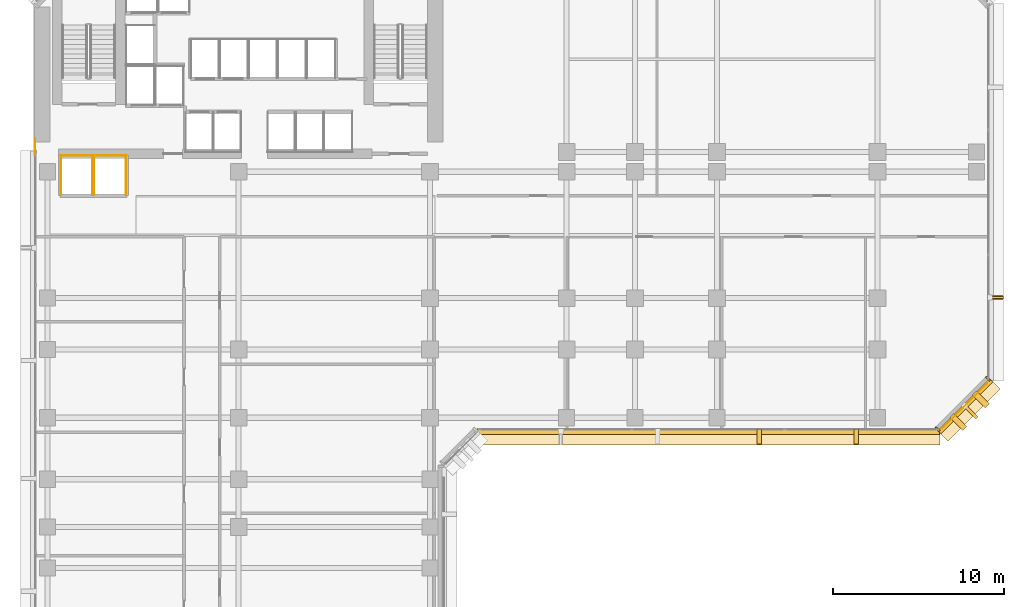
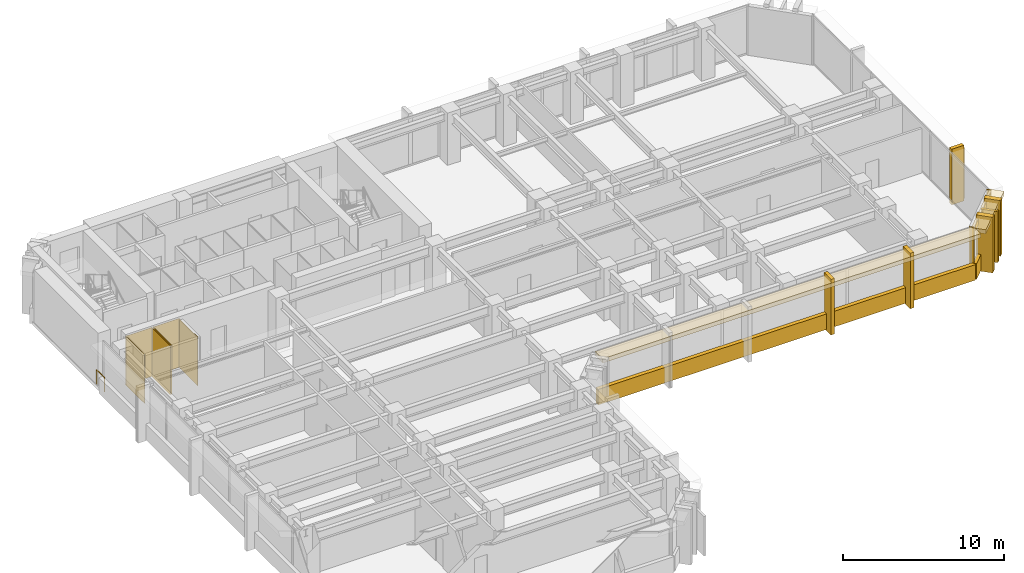
# One storey, part 10 of 13: 18 coverings, 2 shading devices, 1 railing.
"""IFC4 building model written with IfcOpenShell, lengths in metres."""

from ifc_helpers import new_model, si_unit, direction, frame, origin, origin_2d, place, context, subcontext, project, spatial, polyline, rectangle, circle, outline, extrude, material, layer, layer_set, material_profile, profile_set, type_object, element, save


model = new_model("IFC4")

# Units and contexts
model_context = context("Model", 3, precision=1e-05, world=origin(), true_north=direction((0.0, 1.0)))
body_context = subcontext(model_context, "Body", "Model", "MODEL_VIEW")
ifc_project = project(units=[si_unit("LENGTHUNIT", "METRE"), si_unit("AREAUNIT", "SQUARE_METRE"), si_unit("VOLUMEUNIT", "CUBIC_METRE"), si_unit("PLANEANGLEUNIT", "RADIAN"), si_unit("MASSUNIT", "GRAM", prefix="KILO")], contexts=[model_context])

# Site, building, storey
site_placement = place(None, origin())
site = spatial("IfcSite", under=ifc_project, at=site_placement, CompositionType="ELEMENT")
building_placement = place(site_placement, origin())
building = spatial("IfcBuilding", under=site, at=building_placement, Name="Kefirva Bronze Tower", CompositionType="ELEMENT")
storey_placement = place(building_placement, frame((0.0, 0.0, 54.1201171875)))
storey = spatial("IfcBuildingStorey", under=building, at=storey_placement, Name="L12", CompositionType="ELEMENT", Elevation=54.1201171875)

# Coverings
ifc_material_1 = material(Name="Bronze anodised aluminium", Category="aluminium")
ifc_layer_1 = layer(ifc_material_1, 0.02001953125, Name="Bronze anodised aluminium")
ifc_layer_set_1 = layer_set([ifc_layer_1], Name="Bronze anodised aluminium")
covering_type_1 = type_object("IfcCoveringType", Name="Anodised Bronze Spandrel Cladding 20mm", PredefinedType="CLADDING", material=ifc_layer_set_1)
covering_1_placement = place(storey_placement, frame((39.5, 17.9599609375, -0.16015625), z_axis=(0.0, 0.0, 1.0), x_axis=(1.0, 0.0, 0.0)))
element("IfcCovering", 1, at=covering_1_placement, inside=storey, type_object=covering_type_1, Name="L12 Streamline Horizontal Spandrel Band 4", PredefinedType="CLADDING", context=body_context, shape_type="SweptSolid", body=[
    extrude(rectangle(XDim=27.0400390625, YDim=0.280029296875, at=origin_2d()), origin(), (0.0, 0.0, 1.0), 1.179931640625),
])
covering_2_placement = place(storey_placement, frame((54.507080078125, 19.492919921875, 3.2900390625), z_axis=(0.0, 0.0, 1.0), x_axis=(0.707106781187, 0.707106781187, 0.0)))
element("IfcCovering", 2, at=covering_2_placement, inside=storey, type_object=covering_type_1, Name="L12 Bronze Spandrel Cladding 4", PredefinedType="CLADDING", context=body_context, shape_type="SweptSolid", body=[
    extrude(rectangle(XDim=3.719482421875, YDim=0.02001953125, at=origin_2d()), origin(), (0.0, 0.0, 1.0), 0.39990234375),
])
for number, where, z_axis, x_axis, name in (
    (3, (52.91162109375, 18.137939453125, 0.0), (0.0, 0.0, 1.0), (0.707106781187, 0.707106781187, 0.0), "L12 Facade Joint Closure Panel 4S"),
    (4, (55.862060546875, 21.08837890625, 0.0), (0.0, 0.0, 1.0), (0.707106781187, 0.707106781187, 0.0), "L12 Facade Joint Closure Panel 4E"),
):
    element("IfcCovering", number, at=place(storey_placement, frame(where, z_axis=z_axis, x_axis=x_axis)), inside=storey, type_object=covering_type_1, Name=name, PredefinedType="CLADDING", context=body_context, shape_type="SweptSolid", body=[
        extrude(rectangle(XDim=0.10009765625, YDim=0.320068359375, at=origin_2d()), origin(), (0.0, 0.0, 1.0), 3.7099609375),
    ])
covering_3_placement = place(storey_placement, frame((54.5283203125, 19.4716796875, -0.16015625), z_axis=(0.0, 0.0, 1.0), x_axis=(0.707106781187, 0.707106781187, 0.0)))
element("IfcCovering", 5, at=covering_3_placement, inside=storey, type_object=covering_type_1, Name="L12 Streamline Horizontal Spandrel Band 5", PredefinedType="CLADDING", context=body_context, shape_type="SweptSolid", body=[
    extrude(rectangle(XDim=4.28271484375, YDim=0.280029296875, at=origin_2d()), origin(), (0.0, 0.0, 1.0), 1.179931640625),
])
covering_4_placement = place(storey_placement, origin())
element("IfcCovering", 6, at=covering_4_placement, inside=storey, type_object=covering_type_1, Name="L12 Lift OB1 Hoistway Liner N", PredefinedType="CLADDING", context=body_context, shape_type="SweptSolid", body=[
    extrude(outline(polyline([(1.580078125, 34.139892578125), (3.469970703125, 34.139892578125), (3.469970703125, 34.159912109375), (1.580078125, 34.159912109375), (1.580078125, 34.139892578125)])), origin(), (0.0, 0.0, 1.0), 3.7099609375),
])
covering_5_placement = place(storey_placement, origin())
element("IfcCovering", 7, at=covering_5_placement, inside=storey, type_object=covering_type_1, Name="L12 Lift OB1 Hoistway Liner W", PredefinedType="CLADDING", context=body_context, shape_type="SweptSolid", body=[
    extrude(outline(polyline([(1.590087890625, 31.830078125), (1.610107421875, 31.830078125), (1.610107421875, 34.169921875), (1.590087890625, 34.169921875), (1.590087890625, 31.830078125)])), origin(), (0.0, 0.0, 1.0), 3.7099609375),
])
covering_6_placement = place(storey_placement, origin())
element("IfcCovering", 8, at=covering_6_placement, inside=storey, type_object=covering_type_1, Name="L12 Lift OB1 Hoistway Liner E", PredefinedType="CLADDING", context=body_context, shape_type="SweptSolid", body=[
    extrude(outline(polyline([(3.43994140625, 31.830078125), (3.4599609375, 31.830078125), (3.4599609375, 34.169921875), (3.43994140625, 34.169921875), (3.43994140625, 31.830078125)])), origin(), (0.0, 0.0, 1.0), 3.7099609375),
])
covering_7_placement = place(storey_placement, origin())
element("IfcCovering", 9, at=covering_7_placement, inside=storey, type_object=covering_type_1, Name="L12 Lift OB2 Hoistway Liner N", PredefinedType="CLADDING", context=body_context, shape_type="SweptSolid", body=[
    extrude(outline(polyline([(3.530029296875, 34.139892578125), (5.419921875, 34.139892578125), (5.419921875, 34.159912109375), (3.530029296875, 34.159912109375), (3.530029296875, 34.139892578125)])), origin(), (0.0, 0.0, 1.0), 3.7099609375),
])
covering_8_placement = place(storey_placement, origin())
element("IfcCovering", 10, at=covering_8_placement, inside=storey, type_object=covering_type_1, Name="L12 Lift OB2 Hoistway Liner W", PredefinedType="CLADDING", context=body_context, shape_type="SweptSolid", body=[
    extrude(outline(polyline([(3.5400390625, 31.830078125), (3.56005859375, 31.830078125), (3.56005859375, 34.169921875), (3.5400390625, 34.169921875), (3.5400390625, 31.830078125)])), origin(), (0.0, 0.0, 1.0), 3.7099609375),
])
covering_9_placement = place(storey_placement, origin())
element("IfcCovering", 11, at=covering_9_placement, inside=storey, type_object=covering_type_1, Name="L12 Lift OB2 Hoistway Liner E", PredefinedType="CLADDING", context=body_context, shape_type="SweptSolid", body=[
    extrude(outline(polyline([(5.389892578125, 31.830078125), (5.409912109375, 31.830078125), (5.409912109375, 34.169921875), (5.389892578125, 34.169921875), (5.389892578125, 31.830078125)])), origin(), (0.0, 0.0, 1.0), 3.7099609375),
])

# Shading device
ifc_material_profile_1 = material_profile(ifc_material_1, rectangle(XDim=0.179931640625, YDim=1.080078125, at=origin_2d()), Name="BRONZE BUTTRESS FIN 180x1080")
ifc_profile_set_1 = profile_set([ifc_material_profile_1], Name="Bronze anodised aluminium")
shading_device_type_1 = type_object("IfcShadingDeviceType", Name="Chamfered Corner Buttress Bronze Fin 1080mm", PredefinedType="USERDEFINED", material=ifc_profile_set_1)
shading_device_1_placement = place(storey_placement, frame((54.8251953125, 19.1748046875, -0.14013671875), z_axis=(0.0, 0.0, 1.0), x_axis=(0.707106781187, 0.707106781187, 0.0)))
element("IfcShadingDevice", 12, at=shading_device_1_placement, inside=storey, type_object=shading_device_type_1, Name="L12 Chamfered Corner Buttress Fin 14", ObjectType="VERTICAL FIN", PredefinedType="USERDEFINED", context=body_context, shape_type="SweptSolid", body=[
    extrude(rectangle(XDim=0.179931640625, YDim=1.080078125, at=origin_2d()), origin(), (0.0, 0.0, 1.0), 3.85009765625),
])

# Railing
ifc_material_2 = material(Name="Stainless steel 316", Category="steel")
railing_type = type_object("IfcRailingType", Name="Interior Stair Guardrail 1100mm", PredefinedType="GUARDRAIL", material=ifc_material_2)
railing_placement = place(storey_placement, frame((0.080078125, 34.199951171875, 0.0)))
element("IfcRailing", 13, at=railing_placement, inside=storey, type_object=railing_type, Name="L12 West Core Junction Guardrail", PredefinedType="GUARDRAIL", context=body_context, shape_type="SweptSolid", body=[
    extrude(circle(Radius=0.02392578125, at=origin_2d()), frame((0.0, 0.0, 1.076171875), z_axis=(0.0, 1.0, 0.0), x_axis=(-1.0, 0.0, 0.0)), (0.0, 0.0, 1.0), 0.949951171875),
    extrude(circle(Radius=0.02099609375, at=origin_2d()), origin(), (0.0, 0.0, 1.0), 1.052001953125),
    extrude(circle(Radius=0.02099609375, at=origin_2d()), frame((0.0, 0.949951171875, 0.0)), (0.0, 0.0, 1.0), 1.052001953125),
])

# Coverings
ifc_layer_2 = layer(ifc_material_1, 0.179931640625, Name="Bronze anodised aluminium")
ifc_layer_set_2 = layer_set([ifc_layer_2], Name="Bronze anodised aluminium")
covering_type_2 = type_object("IfcCoveringType", Name="Streamline Bronze Sunshade Eyebrow Cladding 180mm", PredefinedType="CLADDING", material=ifc_layer_set_2)
covering_10_placement = place(storey_placement, frame((39.5, 17.68994140625, 3.3896484375), z_axis=(0.0, 0.0, 1.0), x_axis=(1.0, 0.0, 0.0)))
element("IfcCovering", 14, at=covering_10_placement, inside=storey, type_object=covering_type_2, Name="L12 Streamline Bronze Sunshade Eyebrow 4", PredefinedType="CLADDING", context=body_context, shape_type="SweptSolid", body=[
    extrude(rectangle(XDim=27.080078125, YDim=0.93994140625, at=origin_2d()), origin(), (0.0, 0.0, 1.0), 0.320068359375),
])
covering_11_placement = place(storey_placement, frame((54.71923828125, 19.28076171875, 3.3896484375), z_axis=(0.0, 0.0, 1.0), x_axis=(0.707106781187, 0.707106781187, 0.0)))
element("IfcCovering", 15, at=covering_11_placement, inside=storey, type_object=covering_type_2, Name="L12 Streamline Bronze Sunshade Eyebrow 5", PredefinedType="CLADDING", context=body_context, shape_type="SweptSolid", body=[
    extrude(rectangle(XDim=4.322509765625, YDim=0.93994140625, at=origin_2d()), origin(), (0.0, 0.0, 1.0), 0.320068359375),
])
ifc_layer_3 = layer(ifc_material_1, 0.260009765625, Name="Bronze anodised aluminium")
ifc_layer_set_3 = layer_set([ifc_layer_3], Name="Bronze anodised aluminium")
covering_type_3 = type_object("IfcCoveringType", Name="Unbroken Bronze Buttress Fin Cladding 260mm", PredefinedType="CLADDING", material=ifc_layer_set_3)
for number, where, z_axis, x_axis, name in (
    (16, (42.469970703125, 17.699951171875, -0.25), (0.0, 0.0, 1.0), (1.0, 0.0, 0.0), "L12 Unbroken Vertical Bronze Rib Fin 11"),
    (17, (48.139892578125, 17.699951171875, -0.25), (0.0, 0.0, 1.0), (1.0, 0.0, 0.0), "L12 Unbroken Vertical Bronze Rib Fin 12"),
):
    element("IfcCovering", number, at=place(storey_placement, frame(where, z_axis=z_axis, x_axis=x_axis)), inside=storey, type_object=covering_type_3, Name=name, PredefinedType="CLADDING", context=body_context, shape_type="SweptSolid", body=[
        extrude(rectangle(XDim=0.260009765625, YDim=0.8798828125, at=origin_2d()), origin(), (0.0, 0.0, 1.0), 4.2099609375),
    ])
for number, where, z_axis, x_axis, name in (
    (18, (54.122802734375, 18.55712890625, -0.25), (0.0, 0.0, 1.0), (0.707106781187, 0.707106781187, 0.0), "L12 Chamfered Corner Buttress Fin Cladding 13"),
    (19, (55.44287109375, 19.877197265625, -0.25), (0.0, 0.0, 1.0), (0.707106781187, 0.707106781187, 0.0), "L12 Chamfered Corner Buttress Fin Cladding 14"),
):
    element("IfcCovering", number, at=place(storey_placement, frame(where, z_axis=z_axis, x_axis=x_axis)), inside=storey, type_object=covering_type_3, Name=name, PredefinedType="CLADDING", context=body_context, shape_type="SweptSolid", body=[
        extrude(rectangle(XDim=0.340087890625, YDim=1.080078125, at=origin_2d()), origin(), (0.0, 0.0, 1.0), 4.2099609375),
    ])
covering_12_placement = place(storey_placement, frame((56.300048828125, 25.840087890625, -0.25), z_axis=(0.0, 0.0, 1.0), x_axis=(0.0, 1.0, 0.0)))
element("IfcCovering", 20, at=covering_12_placement, inside=storey, type_object=covering_type_3, Name="L12 Unbroken Vertical Bronze Rib Fin 15", PredefinedType="CLADDING", context=body_context, shape_type="SweptSolid", body=[
    extrude(rectangle(XDim=0.260009765625, YDim=0.8798828125, at=origin_2d()), origin(), (0.0, 0.0, 1.0), 4.2099609375),
])

# Shading device
ifc_material_profile_2 = material_profile(ifc_material_1, rectangle(XDim=0.139892578125, YDim=0.8798828125, at=origin_2d()), Name="BRONZE FIN 140x880")
ifc_profile_set_2 = profile_set([ifc_material_profile_2], Name="Bronze anodised aluminium")
shading_device_type_2 = type_object("IfcShadingDeviceType", Name="Unbroken Vertical Bronze Facade Fin 880mm", PredefinedType="USERDEFINED", material=ifc_profile_set_2)
shading_device_2_placement = place(storey_placement, frame((56.360107421875, 25.840087890625, -0.14013671875), z_axis=(0.0, 0.0, 1.0), x_axis=(0.0, 1.0, 0.0)))
element("IfcShadingDevice", 21, at=shading_device_2_placement, inside=storey, type_object=shading_device_type_2, Name="L12 Vertical Bronze Rib Fin 15", ObjectType="VERTICAL FIN", PredefinedType="USERDEFINED", context=body_context, shape_type="SweptSolid", body=[
    extrude(rectangle(XDim=0.139892578125, YDim=0.8798828125, at=origin_2d()), origin(), (0.0, 0.0, 1.0), 3.85009765625),
])

save(model, "model.ifc")
